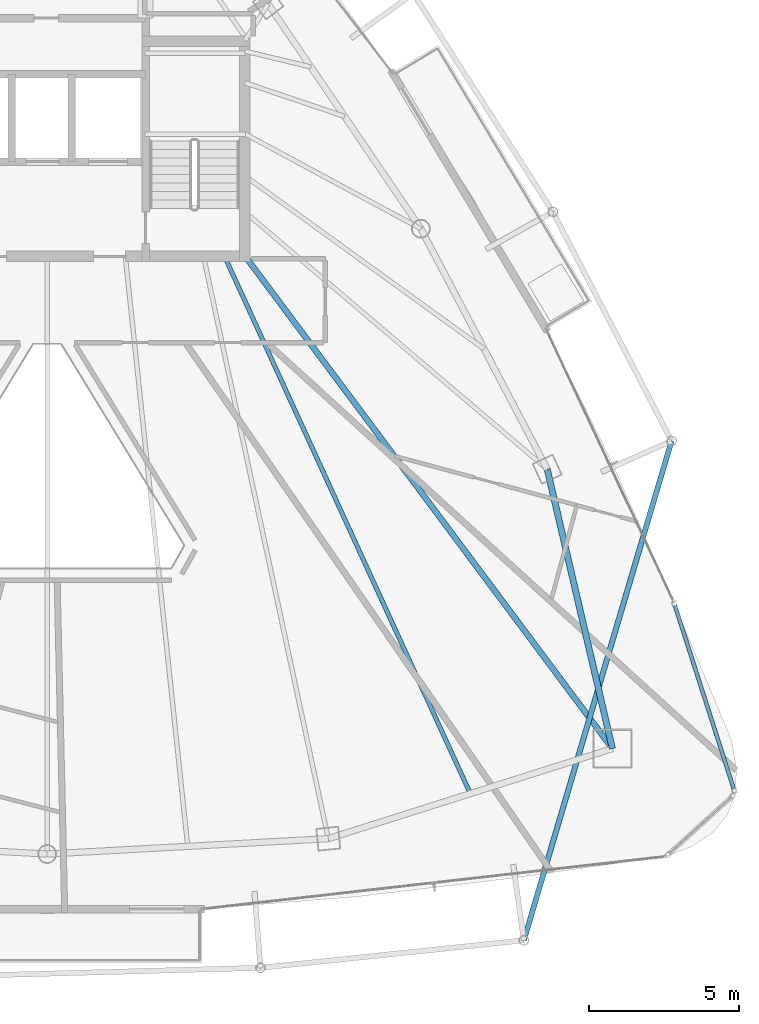
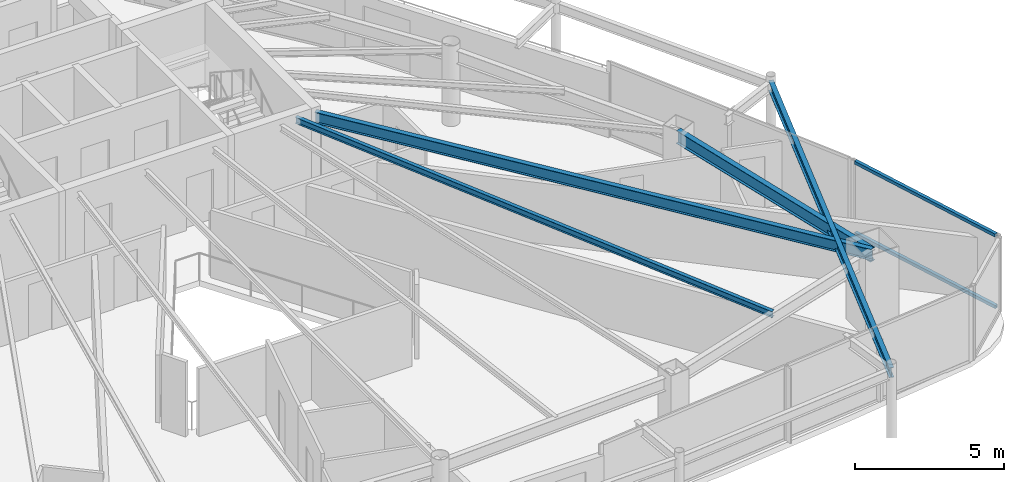
# One storey, part 16 of 30: 4 beams, 2 members, 1 element without a shape of its own.
"""IFC4 building model written with IfcOpenShell, lengths in metres."""

from ifc_helpers import new_model, si_unit, direction, frame, origin, origin_2d, place, context, subcontext, project, spatial, hollow_rectangle, i_section, extrude, material, layer, layer_set, material_profile, profile_set, type_object, element, aggregate, save


model = new_model("IFC4")

# Units and contexts
model_context = context("Model", 3, precision=1e-05, world=origin(), true_north=direction((0.0, 1.0)))
body_context = subcontext(model_context, "Body", "Model", "MODEL_VIEW")
ifc_project = project(units=[si_unit("LENGTHUNIT", "METRE"), si_unit("AREAUNIT", "SQUARE_METRE"), si_unit("VOLUMEUNIT", "CUBIC_METRE"), si_unit("PLANEANGLEUNIT", "RADIAN"), si_unit("MASSUNIT", "GRAM", prefix="KILO")], contexts=[model_context])

# Site, building, storey
site_placement = place(None, origin())
site = spatial("IfcSite", under=ifc_project, at=site_placement, CompositionType="ELEMENT")
building_placement = place(site_placement, origin())
building = spatial("IfcBuilding", under=site, at=building_placement, Name="Orvanel Arch Residences", CompositionType="ELEMENT")
storey_placement = place(building_placement, frame((0.0, 0.0, 226.10009765625)))
storey = spatial("IfcBuildingStorey", under=building, at=storey_placement, Name="L64", CompositionType="ELEMENT", Elevation=226.10009765625)

# Beams
ifc_material_1 = material(Name="Structural steel AS/NZS 3679.1 Grade 300 (300 MPa)", Category="steel")
ifc_material_profile_1 = material_profile(ifc_material_1, i_section(OverallWidth=0.19091796875, OverallDepth=0.4599609375, WebThickness=0.010009765625, FlangeThickness=0.01611328125, at=origin_2d()), Name="460UB82.1")
ifc_profile_set_1 = profile_set([ifc_material_profile_1], Name="Structural steel AS/NZS 3679.1 Grade 300 (300 MPa)")
beam_type_1 = type_object("IfcBeamType", Name="BG-460UB", PredefinedType="BEAM", material=ifc_profile_set_1)
beam_1_placement = place(storey_placement, frame((39.625, 26.675048828125, 2.829833984375), z_axis=(0.597893733742, -0.801575375839, 0.0), x_axis=(0.801575375839, 0.597893733742, 0.0)))
element("IfcBeam", 1, at=beam_1_placement, inside=storey, type_object=beam_type_1, Name="L64 South-East Radial Girder", PredefinedType="BEAM", context=body_context, shape_type="SweptSolid", body=[
    extrude(i_section(OverallWidth=0.19091796875, OverallDepth=0.4599609375, WebThickness=0.010009765625, FlangeThickness=0.01611328125, at=origin_2d()), origin(), (0.0, 0.0, 1.0), 20.36474609375),
])
ifc_material_profile_2 = material_profile(ifc_material_1, i_section(OverallWidth=0.14599609375, OverallDepth=0.251953125, WebThickness=0.006103515625, FlangeThickness=0.008544921875, at=origin_2d()), Name="250UB31.4")
ifc_profile_set_2 = profile_set([ifc_material_profile_2], Name="Structural steel AS/NZS 3679.1 Grade 300 (300 MPa)")
beam_type_2 = type_object("IfcBeamType", Name="BJ-250UB", PredefinedType="JOIST", material=ifc_profile_set_2)
beam_2_placement = place(storey_placement, frame((38.89990234375, 26.72509765625, 2.933837890625), z_axis=(0.416009574066, -0.909360233508, 0.0), x_axis=(0.909360233508, 0.416009574066, 0.0)))
element("IfcBeam", 2, at=beam_2_placement, inside=storey, type_object=beam_type_2, Name="L64 JADD2 Wing Floor Joist", PredefinedType="JOIST", context=body_context, shape_type="SweptSolid", body=[
    extrude(i_section(OverallWidth=0.14599609375, OverallDepth=0.251953125, WebThickness=0.006103515625, FlangeThickness=0.008544921875, at=origin_2d()), origin(), (0.0, 0.0, 1.0), 19.653564453125),
])
ifc_material_profile_3 = material_profile(ifc_material_1, i_section(OverallWidth=0.177978515625, OverallDepth=0.406005859375, WebThickness=0.0078125, FlangeThickness=0.0126953125, at=origin_2d()), Name="410UB59.7")
ifc_profile_set_3 = profile_set([ifc_material_profile_3], Name="Structural steel AS/NZS 3679.1 Grade 300 (300 MPa)")
beam_type_3 = type_object("IfcBeamType", Name="OB-410UB-EXT", PredefinedType="SPANDREL", material=ifc_profile_set_3)
beam_3_placement = place(storey_placement, frame((48.85498046875, 3.97412109375, 2.85693359375), z_axis=(0.283644871246, 0.958929396262, 0.0), x_axis=(-0.958929396262, 0.283644871246, 0.0)))
element("IfcBeam", 3, at=beam_3_placement, inside=storey, type_object=beam_type_3, Name="L64 Outer Perimeter Floor Ring Beam 08", PredefinedType="SPANDREL", context=body_context, shape_type="SweptSolid", body=[
    extrude(i_section(OverallWidth=0.177978515625, OverallDepth=0.406005859375, WebThickness=0.0078125, FlangeThickness=0.0126953125, at=origin_2d()), origin(), (0.0, 0.0, 1.0), 17.3212890625),
])
ifc_material_profile_4 = material_profile(ifc_material_1, i_section(OverallWidth=0.208984375, OverallDepth=0.532958984375, WebThickness=0.01025390625, FlangeThickness=0.015625, at=origin_2d()), Name="530UB92.4")
ifc_profile_set_4 = profile_set([ifc_material_profile_4], Name="Structural steel AS/NZS 3679.1 Grade 300 (300 MPa)")
beam_type_4 = type_object("IfcBeamType", Name="SP-530UB", PredefinedType="SPANDREL", material=ifc_profile_set_4)
beam_4_placement = place(storey_placement, frame((51.801025390625, 10.35107421875, 2.79296875), z_axis=(-0.227236087167, 0.973839699688, 0.0), x_axis=(-0.973839699688, -0.227236087167, 0.0)))
element("IfcBeam", 4, at=beam_4_placement, inside=storey, type_object=beam_type_4, Name="L64 Perimeter Spandrel Beam 06", PredefinedType="SPANDREL", context=body_context, shape_type="SweptSolid", body=[
    extrude(i_section(OverallWidth=0.208984375, OverallDepth=0.532958984375, WebThickness=0.01025390625, FlangeThickness=0.015625, at=origin_2d()), origin(), (0.0, 0.0, 1.0), 9.54052734375),
])

# Curtain wall, members
ifc_material_2 = material(Name="Bronze-anodised aluminium AA6063-T6", Category="aluminium")
ifc_layer = layer(ifc_material_2, 0.18994140625)
ifc_layer_set = layer_set([ifc_layer], Name="Bronze-anodised aluminium AA6063-T6")
curtain_wall_type = type_object("IfcCurtainWallType", Name="CW5-CRN-SYS", PredefinedType="NOTDEFINED", material=ifc_layer_set)
curtain_wall_placement = place(storey_placement, origin())
curtain_wall = element("IfcCurtainWall", 5, at=curtain_wall_placement, inside=storey, type_object=curtain_wall_type, Name="L64 CW5-CRN-SYS Unitised Curtain Wall", PredefinedType="NOTDEFINED")
ifc_material_profile_5 = material_profile(ifc_material_2, hollow_rectangle(XDim=0.1298828125, YDim=0.1298828125, WallThickness=0.00439453125, at=origin_2d()), Name="ALU130x130x4.5")
ifc_profile_set_5 = profile_set([ifc_material_profile_5], Name="Bronze-anodised aluminium AA6063-T6")
member_type = type_object("IfcMemberType", Name="TRN-130x130", PredefinedType="USERDEFINED", material=ifc_profile_set_5)
member_1_placement = place(storey_placement, frame((55.835205078125, 9.017822265625, 0.06494140625), z_axis=(-0.305587141492, 0.952164113457, 0.0), x_axis=(-0.952164113457, -0.305587141492, 0.0)))
member_1 = element("IfcMember", 6, at=member_1_placement, type_object=member_type, Name="CW-S5 transom 1.1", ObjectType="TRANSOM", PredefinedType="USERDEFINED", context=body_context, shape_type="SweptSolid", body=[
    extrude(hollow_rectangle(XDim=0.1298828125, YDim=0.1298828125, WallThickness=0.00439453125, at=origin_2d()), origin(), (0.0, 0.0, 1.0), 6.3857421875),
])
member_2_placement = place(storey_placement, frame((55.835205078125, 9.017822265625, 2.994873046875), z_axis=(-0.305587141492, 0.952164113457, 0.0), x_axis=(-0.952164113457, -0.305587141492, 0.0)))
member_2 = element("IfcMember", 7, at=member_2_placement, type_object=member_type, Name="CW-S5 transom 1.2", ObjectType="TRANSOM", PredefinedType="USERDEFINED", context=body_context, shape_type="SweptSolid", body=[
    extrude(hollow_rectangle(XDim=0.1298828125, YDim=0.1298828125, WallThickness=0.00439453125, at=origin_2d()), origin(), (0.0, 0.0, 1.0), 6.3857421875),
])
aggregate(curtain_wall, [member_1, member_2])

save(model, "model.ifc")
